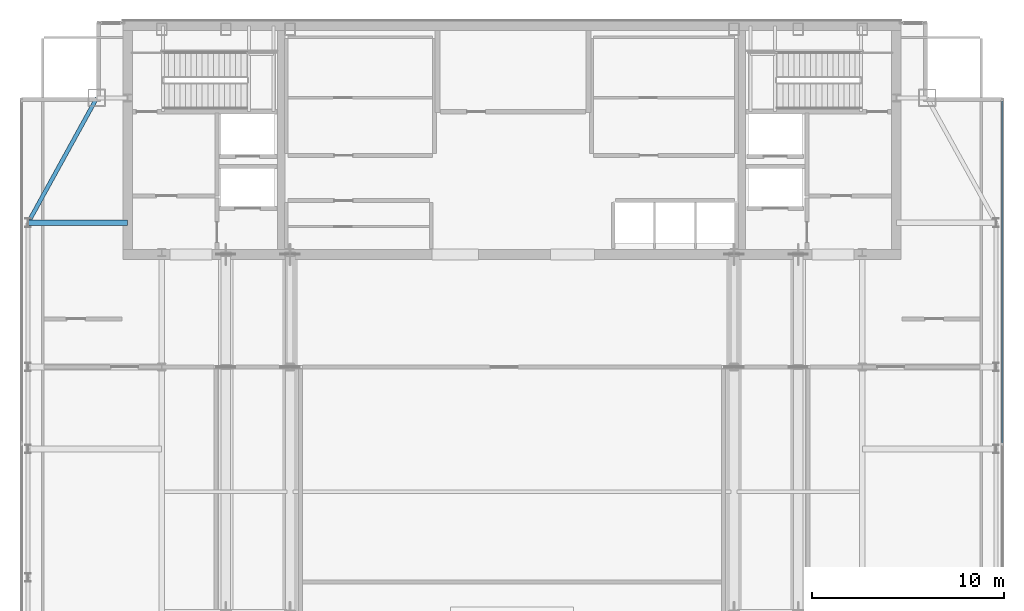
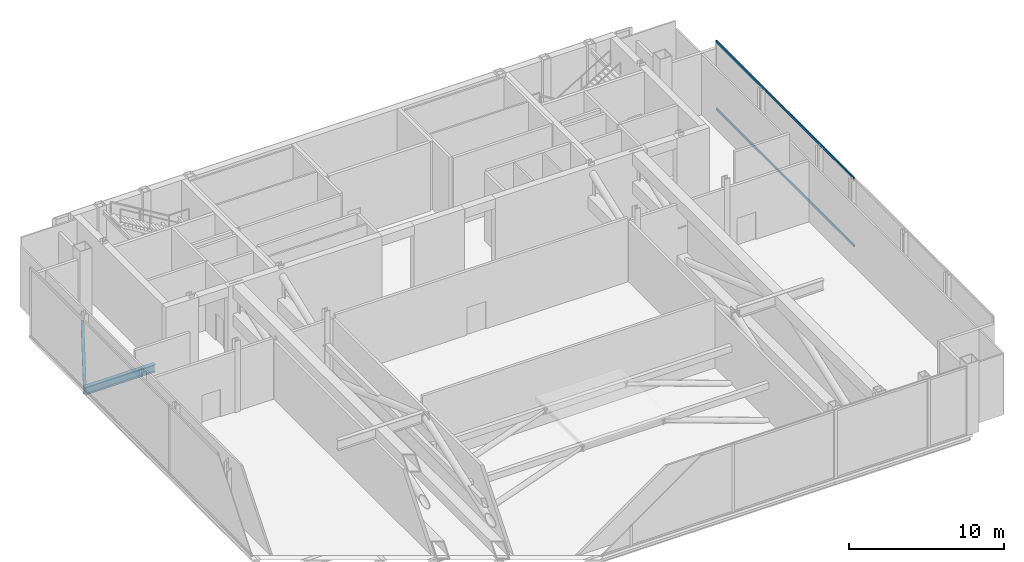
# One storey, part 18 of 26: 2 beams, 2 members, 1 element without a shape of its own.
"""IFC4 building model written with IfcOpenShell, lengths in metres."""

from ifc_helpers import new_model, si_unit, direction, frame, origin, origin_2d, place, context, subcontext, project, spatial, hollow_rectangle, i_section, extrude, material, material_profile, profile_set, type_object, element, aggregate, save


model = new_model("IFC4")

# Units and contexts
model_context = context("Model", 3, precision=1e-05, world=origin(), true_north=direction((0.0, 1.0)))
body_context = subcontext(model_context, "Body", "Model", "MODEL_VIEW")
ifc_project = project(units=[si_unit("LENGTHUNIT", "METRE"), si_unit("AREAUNIT", "SQUARE_METRE"), si_unit("VOLUMEUNIT", "CUBIC_METRE"), si_unit("PLANEANGLEUNIT", "RADIAN"), si_unit("MASSUNIT", "GRAM", prefix="KILO")], contexts=[model_context])

# Site, building, storey
site_placement = place(None, origin())
site = spatial("IfcSite", under=ifc_project, at=site_placement, CompositionType="ELEMENT")
building_placement = place(site_placement, origin())
building = spatial("IfcBuilding", under=site, at=building_placement, Name="Khoronbel Lancet Exchange", CompositionType="ELEMENT")
storey_placement = place(building_placement, frame((0.0, 0.0, 350.60009765625)))
storey = spatial("IfcBuildingStorey", under=building, at=storey_placement, Name="L91", CompositionType="ELEMENT", Elevation=350.60009765625)

# Beams
ifc_material_1 = material(Name="Steel S355", Category="steel")
ifc_material_profile_1 = material_profile(ifc_material_1, i_section(OverallWidth=0.300048828125, OverallDepth=0.60009765625, WebThickness=0.015380859375, FlangeThickness=0.030029296875, at=origin_2d()), Name="HEB 600")
ifc_profile_set_1 = profile_set([ifc_material_profile_1], Name="Steel S355")
beam_type_1 = type_object("IfcBeamType", Name="BM-BG5", PredefinedType="BEAM", material=ifc_profile_set_1)
beam_1_placement = place(storey_placement, frame((11.27001953125, 43.199951171875, -0.52001953125), z_axis=(1.0, 0.0, 0.0), x_axis=(0.0, 1.0, 0.0)))
element("IfcBeam", 1, at=beam_1_placement, inside=storey, type_object=beam_type_1, Name="Level L91 west lens tie girder LG3W", PredefinedType="BEAM", context=body_context, shape_type="SweptSolid", body=[
    extrude(i_section(OverallWidth=0.300048828125, OverallDepth=0.60009765625, WebThickness=0.015380859375, FlangeThickness=0.030029296875, at=origin_2d()), origin(), (0.0, 0.0, 1.0), 5.179931640625),
])
ifc_material_profile_2 = material_profile(ifc_material_1, i_section(OverallWidth=0.2099609375, OverallDepth=0.550048828125, WebThickness=0.010986328125, FlangeThickness=0.01708984375, at=origin_2d()), Name="IPE 550")
ifc_profile_set_2 = profile_set([ifc_material_profile_2], Name="Steel S355")
beam_type_2 = type_object("IfcBeamType", Name="BM-BSP3", PredefinedType="SPANDREL", material=ifc_profile_set_2)
beam_2_placement = place(storey_placement, frame((14.85009765625, 49.699951171875, -0.4951171875), z_axis=(-0.482444051088, -0.875926787791, 0.0), x_axis=(0.875926787791, -0.482444051088, 0.0)))
element("IfcBeam", 2, at=beam_2_placement, inside=storey, type_object=beam_type_2, Name="Level L91 perimeter spandrel beam SP14", PredefinedType="SPANDREL", context=body_context, shape_type="SweptSolid", body=[
    extrude(i_section(OverallWidth=0.2099609375, OverallDepth=0.550048828125, WebThickness=0.010986328125, FlangeThickness=0.01708984375, at=origin_2d()), origin(), (0.0, 0.0, 1.0), 7.420654296875),
])

# Curtain wall, members
ifc_material_2 = material(Name="Low-E Solar Control Insulating Glass", Category="glass")
curtain_wall_type = type_object("IfcCurtainWallType", Name="CW-6", PredefinedType="NOTDEFINED", material=ifc_material_2)
curtain_wall_placement = place(storey_placement, origin())
curtain_wall = element("IfcCurtainWall", 3, at=curtain_wall_placement, inside=storey, type_object=curtain_wall_type, Name="Unitised curtain wall CW-L91-E09", PredefinedType="NOTDEFINED")
ifc_material_3 = material(Name="Bronze-Anodised Aluminium 6063-T6", Category="aluminium")
ifc_material_profile_3 = material_profile(ifc_material_3, hollow_rectangle(XDim=0.0849609375, YDim=0.179931640625, WallThickness=0.0048828125, at=origin_2d()), Name="ALU TRANSOM 85x180")
ifc_profile_set_3 = profile_set([ifc_material_profile_3], Name="Bronze-Anodised Aluminium 6063-T6")
member_type = type_object("IfcMemberType", Name="MEM-CWT1", PredefinedType="USERDEFINED", material=ifc_profile_set_3)
member_1_placement = place(storey_placement, frame((61.9599609375, 49.534912109375, 0.04248046875), z_axis=(0.0, -1.0, 0.0), x_axis=(1.0, 0.0, 0.0)))
member_1 = element("IfcMember", 4, at=member_1_placement, type_object=member_type, Name="CW6 transom 1.1", ObjectType="TRANSOM", PredefinedType="USERDEFINED", context=body_context, shape_type="SweptSolid", body=[
    extrude(hollow_rectangle(XDim=0.0849609375, YDim=0.179931640625, WallThickness=0.0048828125, at=origin_2d()), origin(), (0.0, 0.0, 1.0), 17.79736328125),
])
member_2_placement = place(storey_placement, frame((61.9599609375, 49.534912109375, 5.357421875), z_axis=(0.0, -1.0, 0.0), x_axis=(1.0, 0.0, 0.0)))
member_2 = element("IfcMember", 5, at=member_2_placement, type_object=member_type, Name="CW6 transom 1.2", ObjectType="TRANSOM", PredefinedType="USERDEFINED", context=body_context, shape_type="SweptSolid", body=[
    extrude(hollow_rectangle(XDim=0.0849609375, YDim=0.179931640625, WallThickness=0.0048828125, at=origin_2d()), origin(), (0.0, 0.0, 1.0), 17.79736328125),
])
aggregate(curtain_wall, [member_1, member_2])

save(model, "model.ifc")
